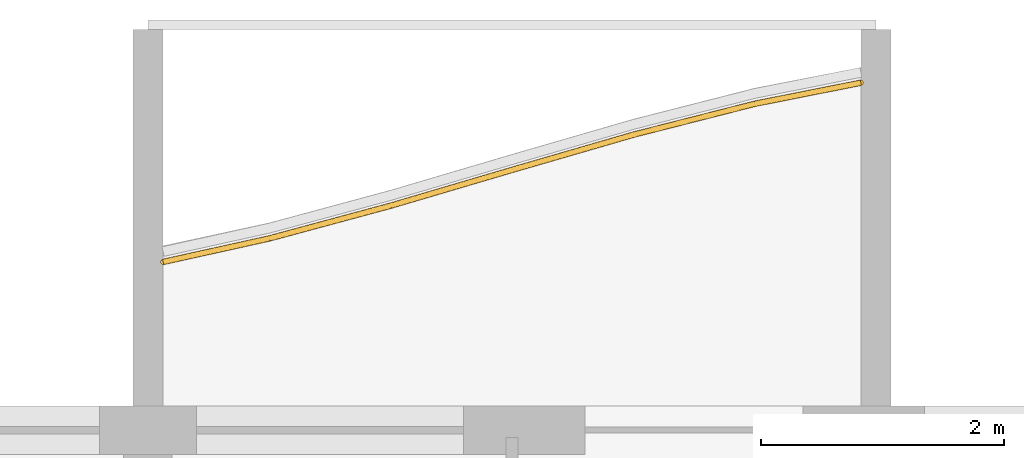
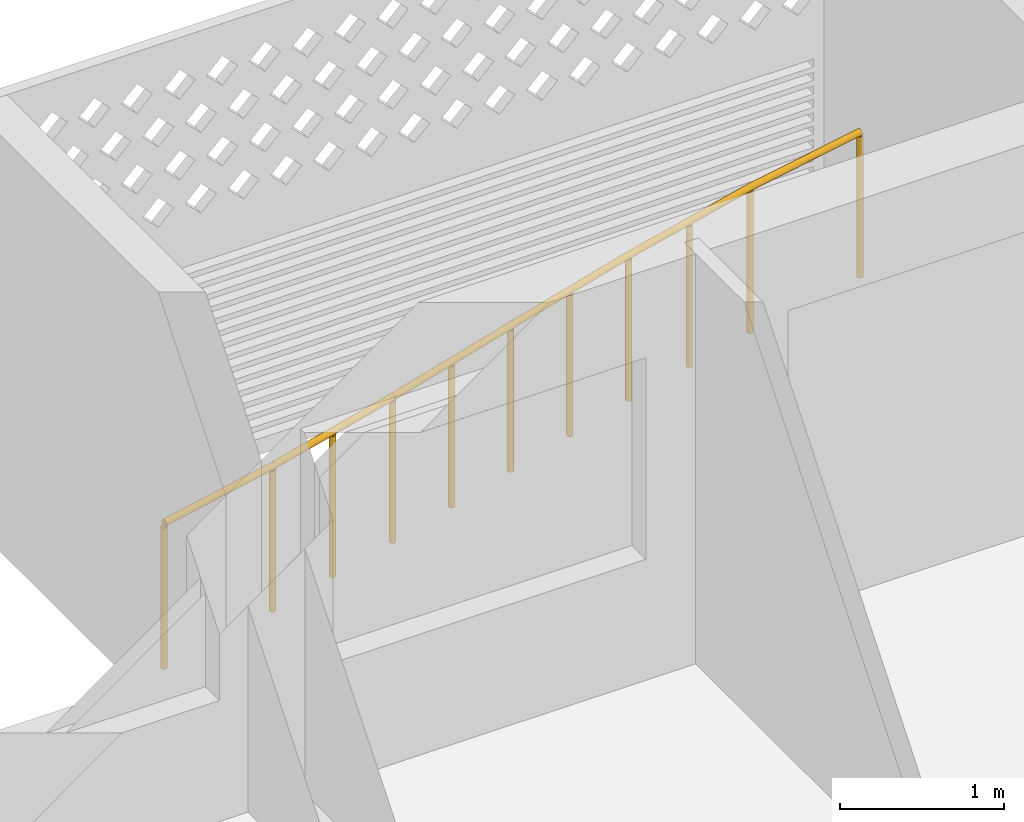
# One storey, part 30 of 40: 1 railing.
"""IFC4 building model written with IfcOpenShell, lengths in metres."""

from ifc_helpers import new_model, si_unit, direction, frame, origin, origin_2d, place, context, subcontext, project, spatial, circle, extrude, material, type_object, element, save


model = new_model("IFC4")

# Units and contexts
model_context = context("Model", 3, precision=1e-05, world=origin(), true_north=direction((0.0, 1.0)))
body_context = subcontext(model_context, "Body", "Model", "MODEL_VIEW")
ifc_project = project(units=[si_unit("LENGTHUNIT", "METRE"), si_unit("AREAUNIT", "SQUARE_METRE"), si_unit("VOLUMEUNIT", "CUBIC_METRE"), si_unit("PLANEANGLEUNIT", "RADIAN"), si_unit("MASSUNIT", "GRAM", prefix="KILO")], contexts=[model_context])

# Site, building, storey
site_placement = place(None, origin())
site = spatial("IfcSite", under=ifc_project, at=site_placement, CompositionType="ELEMENT")
building_placement = place(site_placement, origin())
building = spatial("IfcBuilding", under=site, at=building_placement, Name="Poui Terraces", CompositionType="ELEMENT")
storey_placement = place(building_placement, frame((0.0, 0.0, 36.60009765625)))
storey = spatial("IfcBuildingStorey", under=building, at=storey_placement, Name="L09", CompositionType="ELEMENT", Elevation=36.60009765625)

# Railing
ifc_material = material(Name="Painted steel fretwork", Category="steel")
railing_type = type_object("IfcRailingType", Name="BALCONY GUARD 1100", PredefinedType="GUARDRAIL", material=ifc_material)
railing_placement = place(storey_placement, frame((60.125, 46.186279296875, 0.0)))
element("IfcRailing", 1, at=railing_placement, inside=storey, type_object=railing_type, Name="BALCONY GUARD", PredefinedType="GUARDRAIL", context=body_context, shape_type="SweptSolid", body=[
    extrude(circle(Radius=0.02392578125, at=origin_2d()), frame((0.0, 0.0, 1.076171875), z_axis=(0.97638536351, 0.216036158835, 0.0), x_axis=(-0.216036158835, 0.97638536351, 0.0)), (0.0, 0.0, 1.0), 0.896240234375),
    extrude(circle(Radius=0.02392578125, at=origin_2d()), frame((0.875, 0.193603515625, 1.076171875), z_axis=(0.965483634336, 0.260463724595, 0.0), x_axis=(-0.260463724595, 0.965483634336, 0.0)), (0.0, 0.0, 1.0), 1.03564453125),
    extrude(circle(Radius=0.02392578125, at=origin_2d()), frame((1.875, 0.46337890625, 1.076171875), z_axis=(0.959156425707, 0.282876211488, 0.0), x_axis=(-0.282876211488, 0.959156425707, 0.0)), (0.0, 0.0, 1.0), 1.04248046875),
    extrude(circle(Radius=0.02392578125, at=origin_2d()), frame((2.875, 0.75830078125, 1.076171875), z_axis=(0.960419102414, 0.278559056071, 0.0), x_axis=(-0.278559056071, 0.960419102414, 0.0)), (0.0, 0.0, 1.0), 1.041259765625),
    extrude(circle(Radius=0.02392578125, at=origin_2d()), frame((3.875, 1.04833984375, 1.076171875), z_axis=(0.969018976325, 0.246986282052, 0.0), x_axis=(-0.246986282052, 0.969018976325, 0.0)), (0.0, 0.0, 1.0), 1.031982421875),
    extrude(circle(Radius=0.02392578125, at=origin_2d()), frame((4.875, 1.30322265625, 1.076171875), z_axis=(0.980884751127, 0.19458958093, 0.0), x_axis=(-0.19458958093, 0.980884751127, 0.0)), (0.0, 0.0, 1.0), 0.89208984375),
    extrude(circle(Radius=0.02099609375, at=origin_2d()), origin(), (0.0, 0.0, 1.0), 1.052001953125),
    extrude(circle(Radius=0.02099609375, at=origin_2d()), frame((0.875, 0.193603515625, 0.0)), (0.0, 0.0, 1.0), 1.052001953125),
    extrude(circle(Radius=0.02099609375, at=origin_2d()), frame((1.375, 0.32861328125, 0.0)), (0.0, 0.0, 1.0), 1.052001953125),
    extrude(circle(Radius=0.02099609375, at=origin_2d()), frame((1.875, 0.46337890625, 0.0)), (0.0, 0.0, 1.0), 1.052001953125),
    extrude(circle(Radius=0.02099609375, at=origin_2d()), frame((2.375, 0.61083984375, 0.0)), (0.0, 0.0, 1.0), 1.052001953125),
    extrude(circle(Radius=0.02099609375, at=origin_2d()), frame((2.875, 0.75830078125, 0.0)), (0.0, 0.0, 1.0), 1.052001953125),
    extrude(circle(Radius=0.02099609375, at=origin_2d()), frame((3.375, 0.9033203125, 0.0)), (0.0, 0.0, 1.0), 1.052001953125),
    extrude(circle(Radius=0.02099609375, at=origin_2d()), frame((3.875, 1.04833984375, 0.0)), (0.0, 0.0, 1.0), 1.052001953125),
    extrude(circle(Radius=0.02099609375, at=origin_2d()), frame((4.375, 1.17578125, 0.0)), (0.0, 0.0, 1.0), 1.052001953125),
    extrude(circle(Radius=0.02099609375, at=origin_2d()), frame((4.875, 1.30322265625, 0.0)), (0.0, 0.0, 1.0), 1.052001953125),
    extrude(circle(Radius=0.02099609375, at=origin_2d()), frame((5.75, 1.476806640625, 0.0)), (0.0, 0.0, 1.0), 1.052001953125),
])

save(model, "model.ifc")
